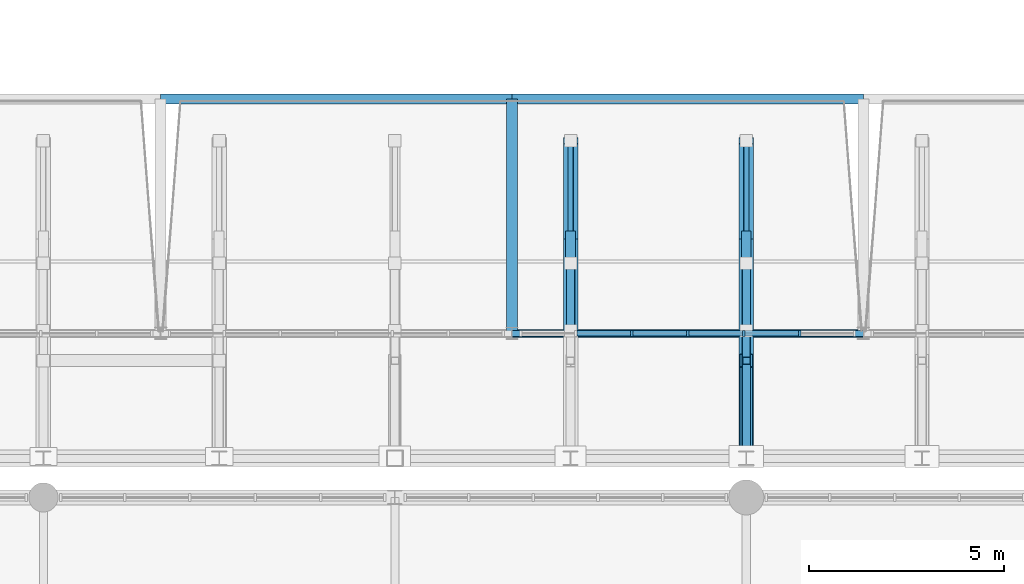
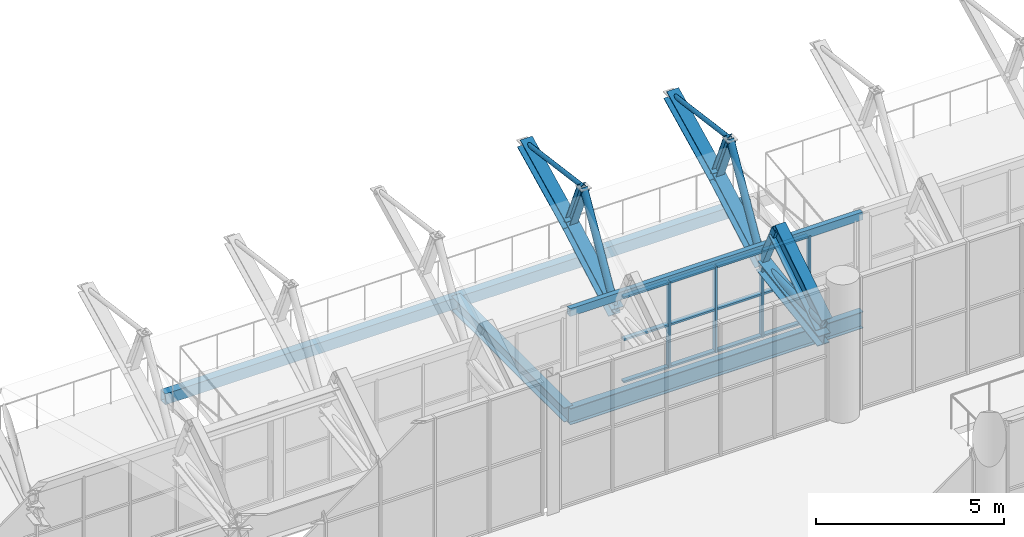
# One storey, part 64 of 134: 29 members, 6 beams, 1 element without a shape of its own.
"""IFC4 building model written with IfcOpenShell, lengths in metres."""

from ifc_helpers import new_model, si_unit, direction, frame, origin, origin_2d, place, context, subcontext, project, spatial, rectangle, hollow_rectangle, hollow_circle, i_section, extrude, material, layer, layer_set, material_profile, profile_set, type_object, element, aggregate, save


model = new_model("IFC4")

# Units and contexts
model_context = context("Model", 3, precision=1e-05, world=origin(), true_north=direction((0.0, 1.0)))
body_context = subcontext(model_context, "Body", "Model", "MODEL_VIEW")
ifc_project = project(units=[si_unit("LENGTHUNIT", "METRE"), si_unit("AREAUNIT", "SQUARE_METRE"), si_unit("VOLUMEUNIT", "CUBIC_METRE"), si_unit("PLANEANGLEUNIT", "RADIAN"), si_unit("MASSUNIT", "GRAM", prefix="KILO")], contexts=[model_context])

# Site, building, storey
site_placement = place(None, origin())
site = spatial("IfcSite", under=ifc_project, at=site_placement, CompositionType="ELEMENT")
building_placement = place(site_placement, origin())
building = spatial("IfcBuilding", under=site, at=building_placement, Name="Cazmaro Siding Exhibition Halls", CompositionType="ELEMENT")
storey_placement = place(building_placement, frame((0.0, 0.0, 12.0)))
storey = spatial("IfcBuildingStorey", under=building, at=storey_placement, Name="L02", CompositionType="ELEMENT", Elevation=12.0)

# Beams
ifc_material_1 = material(Name="Steel ASTM A992 Grade 50", Category="steel")
ifc_material_profile_1 = material_profile(ifc_material_1, i_section(OverallWidth=0.327880859375, OverallDepth=0.626953125, WebThickness=0.01708984375, FlangeThickness=0.028076171875, at=origin_2d()), Name="W24X146")
ifc_profile_set_1 = profile_set([ifc_material_profile_1], Name="Steel ASTM A992 Grade 50")
beam_type_1 = type_object("IfcBeamType", Name="AR-01", PredefinedType="USERDEFINED", material=ifc_profile_set_1)
beam_1_placement = place(storey_placement, frame((126.0, 64.0, 2.300048828125), z_axis=(0.0, 0.843339173298, 0.537381650954), x_axis=(-1.0, 0.0, 0.0)))
element("IfcBeam", 1, at=beam_1_placement, inside=storey, type_object=beam_type_1, Name="Space frame barrel vault arched rib AR-01 BM-0967", ObjectType="ARCHED RIB", PredefinedType="USERDEFINED", context=body_context, shape_type="SweptSolid", body=[
    extrude(i_section(OverallWidth=0.327880859375, OverallDepth=0.626953125, WebThickness=0.01708984375, FlangeThickness=0.028076171875, at=origin_2d()), origin(), (0.0, 0.0, 1.0), 2.96435546875),
])
ifc_material_2 = material(Name="Steel ASTM A992 Grade 50", Category="steel")
ifc_material_profile_2 = material_profile(ifc_material_2, i_section(OverallWidth=0.2099609375, OverallDepth=0.535888671875, WebThickness=0.010986328125, FlangeThickness=0.01708984375, at=origin_2d()), Name="W21X68")
ifc_profile_set_2 = profile_set([ifc_material_profile_2], Name="Steel ASTM A992 Grade 50")
beam_type_2 = type_object("IfcBeamType", Name="B-02", PredefinedType="BEAM", material=ifc_profile_set_2)
beam_2_placement = place(storey_placement, frame((120.0, 67.199951171875, -0.488037109375), z_axis=(1.0, 0.0, 0.0), x_axis=(0.0, 1.0, 0.0)))
element("IfcBeam", 2, at=beam_2_placement, inside=storey, type_object=beam_type_2, Name="Beam B-02 BM-0465", PredefinedType="BEAM", context=body_context, shape_type="SweptSolid", body=[
    extrude(i_section(OverallWidth=0.2099609375, OverallDepth=0.535888671875, WebThickness=0.010986328125, FlangeThickness=0.01708984375, at=origin_2d()), origin(), (0.0, 0.0, 1.0), 9.0),
])
ifc_material_3 = material(Name="Steel ASTM A992 Grade 50", Category="steel")
ifc_material_profile_3 = material_profile(ifc_material_3, i_section(OverallWidth=0.279052734375, OverallDepth=0.4619140625, WebThickness=0.010986328125, FlangeThickness=0.01708984375, at=origin_2d()), Name="W18X76")
ifc_profile_set_3 = profile_set([ifc_material_profile_3], Name="Steel ASTM A992 Grade 50")
beam_type_3 = type_object("IfcBeamType", Name="B-03", PredefinedType="BEAM", material=ifc_profile_set_3)
beam_3_placement = place(storey_placement, frame((120.0, 67.199951171875, -0.450927734375), z_axis=(0.0, 1.0, 0.0), x_axis=(-1.0, 0.0, 0.0)))
element("IfcBeam", 3, at=beam_3_placement, inside=storey, type_object=beam_type_3, Name="Beam B-03 BM-0480", PredefinedType="BEAM", context=body_context, shape_type="SweptSolid", body=[
    extrude(i_section(OverallWidth=0.279052734375, OverallDepth=0.4619140625, WebThickness=0.010986328125, FlangeThickness=0.01708984375, at=origin_2d()), origin(), (0.0, 0.0, 1.0), 6.0),
])
ifc_material_4 = material(Name="Steel ASTM A500 Grade C", Category="steel")
ifc_material_profile_4 = material_profile(ifc_material_4, hollow_rectangle(XDim=0.25390625, YDim=0.35595703125, WallThickness=0.014892578125, at=origin_2d()), Name="HSS14X10X5/8")
ifc_profile_set_4 = profile_set([ifc_material_profile_4], Name="Steel ASTM A500 Grade C")
beam_type_4 = type_object("IfcBeamType", Name="B-06", PredefinedType="BEAM", material=ifc_profile_set_4)
for number, where, z_axis, x_axis, name in (
    (4, (111.0, 73.199951171875, -0.39794921875), (1.0, 0.0, 0.0), (0.0, 1.0, 0.0), "Beam B-06 BM-0464"),
    (5, (120.0, 73.199951171875, -0.39794921875), (1.0, 0.0, 0.0), (0.0, 1.0, 0.0), "Beam B-06 BM-0466"),
):
    element("IfcBeam", number, at=place(storey_placement, frame(where, z_axis=z_axis, x_axis=x_axis)), inside=storey, type_object=beam_type_4, Name=name, PredefinedType="BEAM", context=body_context, shape_type="SweptSolid", body=[
        extrude(hollow_rectangle(XDim=0.25390625, YDim=0.35595703125, WallThickness=0.014892578125, at=origin_2d()), origin(), (0.0, 0.0, 1.0), 9.0),
    ])

# Curtain wall, members
ifc_material_5 = material(Name="Anodized Bronze Aluminum and Solar-Control Low-E Glazing", Category="aluminium")
ifc_layer = layer(ifc_material_5, 0.159912109375)
ifc_layer_set = layer_set([ifc_layer], Name="Anodized Bronze Aluminum and Solar-Control Low-E Glazing")
curtain_wall_type = type_object("IfcCurtainWallType", Name="CWS-04", PredefinedType="USERDEFINED", material=ifc_layer_set)
curtain_wall_placement = place(storey_placement, origin())
curtain_wall = element("IfcCurtainWall", 6, at=curtain_wall_placement, inside=storey, type_object=curtain_wall_type, Name="Clerestory Curtain Wall CWS-04 CW-032", ObjectType="CLERESTORY CURTAIN WALL", PredefinedType="USERDEFINED")
ifc_material_6 = material(Name="Anodized Bronze Extruded Aluminum", Category="aluminium")
ifc_material_profile_5 = material_profile(ifc_material_6, rectangle(XDim=0.159912109375, YDim=0.06005859375, at=origin_2d()), Name="CWM-04")
ifc_profile_set_5 = profile_set([ifc_material_profile_5], Name="Anodized Bronze Extruded Aluminum")
member_type_1 = type_object("IfcMemberType", Name="CWM-04", PredefinedType="MULLION", material=ifc_profile_set_5)
member_1_placement = place(storey_placement, frame((123.065673828125, 67.199951171875, 0.0), z_axis=(0.0, 0.0, 1.0), x_axis=(0.0, 1.0, 0.0)))
member_1 = element("IfcMember", 7, at=member_1_placement, type_object=member_type_1, Name="CWS-04 mullion 3", PredefinedType="MULLION", context=body_context, shape_type="SweptSolid", body=[
    extrude(rectangle(XDim=0.159912109375, YDim=0.06005859375, at=origin_2d()), origin(), (0.0, 0.0, 1.0), 2.800048828125),
])
member_2_placement = place(storey_placement, frame((124.5, 67.199951171875, 0.0), z_axis=(0.0, 0.0, 1.0), x_axis=(0.0, 1.0, 0.0)))
member_2 = element("IfcMember", 8, at=member_2_placement, type_object=member_type_1, Name="CWS-04 mullion 4", PredefinedType="MULLION", context=body_context, shape_type="SweptSolid", body=[
    extrude(rectangle(XDim=0.159912109375, YDim=0.06005859375, at=origin_2d()), origin(), (0.0, 0.0, 1.0), 2.800048828125),
])
member_3_placement = place(storey_placement, frame((125.934326171875, 67.199951171875, 0.0), z_axis=(0.0, 0.0, 1.0), x_axis=(0.0, 1.0, 0.0)))
member_3 = element("IfcMember", 9, at=member_3_placement, type_object=member_type_1, Name="CWS-04 mullion 5", PredefinedType="MULLION", context=body_context, shape_type="SweptSolid", body=[
    extrude(rectangle(XDim=0.159912109375, YDim=0.06005859375, at=origin_2d()), origin(), (0.0, 0.0, 1.0), 2.800048828125),
])
member_4_placement = place(storey_placement, frame((127.36865234375, 67.199951171875, 0.0), z_axis=(0.0, 0.0, 1.0), x_axis=(0.0, 1.0, 0.0)))
member_4 = element("IfcMember", 10, at=member_4_placement, type_object=member_type_1, Name="CWS-04 mullion 6", PredefinedType="MULLION", context=body_context, shape_type="SweptSolid", body=[
    extrude(rectangle(XDim=0.159912109375, YDim=0.06005859375, at=origin_2d()), origin(), (0.0, 0.0, 1.0), 2.800048828125),
])
ifc_material_7 = material(Name="Anodized Bronze Extruded Aluminum", Category="aluminium")
ifc_material_profile_6 = material_profile(ifc_material_7, rectangle(XDim=0.139892578125, YDim=0.06005859375, at=origin_2d()), Name="CWT-04")
ifc_profile_set_6 = profile_set([ifc_material_profile_6], Name="Anodized Bronze Extruded Aluminum")
member_type_2 = type_object("IfcMemberType", Name="CWT-04", PredefinedType="MULLION", material=ifc_profile_set_6)
member_5_placement = place(storey_placement, frame((121.661376953125, 67.199951171875, 0.030029296875), z_axis=(1.0, 0.0, 0.0), x_axis=(0.0, 1.0, 0.0)))
member_5 = element("IfcMember", 11, at=member_5_placement, type_object=member_type_2, Name="CWS-04 transom 2.1", ObjectType="TRANSOM", PredefinedType="USERDEFINED", context=body_context, shape_type="SweptSolid", body=[
    extrude(rectangle(XDim=0.139892578125, YDim=0.06005859375, at=origin_2d()), origin(), (0.0, 0.0, 1.0), 1.374267578125),
])
member_6_placement = place(storey_placement, frame((121.661376953125, 67.199951171875, 1.39990234375), z_axis=(1.0, 0.0, 0.0), x_axis=(0.0, 1.0, 0.0)))
member_6 = element("IfcMember", 12, at=member_6_placement, type_object=member_type_2, Name="CWS-04 transom 2.2", ObjectType="TRANSOM", PredefinedType="USERDEFINED", context=body_context, shape_type="SweptSolid", body=[
    extrude(rectangle(XDim=0.139892578125, YDim=0.06005859375, at=origin_2d()), origin(), (0.0, 0.0, 1.0), 1.374267578125),
])
member_7_placement = place(storey_placement, frame((121.661376953125, 67.199951171875, 2.77001953125), z_axis=(1.0, 0.0, 0.0), x_axis=(0.0, 1.0, 0.0)))
member_7 = element("IfcMember", 13, at=member_7_placement, type_object=member_type_2, Name="CWS-04 transom 2.3", ObjectType="TRANSOM", PredefinedType="USERDEFINED", context=body_context, shape_type="SweptSolid", body=[
    extrude(rectangle(XDim=0.139892578125, YDim=0.06005859375, at=origin_2d()), origin(), (0.0, 0.0, 1.0), 1.374267578125),
])
member_8_placement = place(storey_placement, frame((123.095703125, 67.199951171875, 0.030029296875), z_axis=(1.0, 0.0, 0.0), x_axis=(0.0, 1.0, 0.0)))
member_8 = element("IfcMember", 14, at=member_8_placement, type_object=member_type_2, Name="CWS-04 transom 3.1", ObjectType="TRANSOM", PredefinedType="USERDEFINED", context=body_context, shape_type="SweptSolid", body=[
    extrude(rectangle(XDim=0.139892578125, YDim=0.06005859375, at=origin_2d()), origin(), (0.0, 0.0, 1.0), 1.374267578125),
])
member_9_placement = place(storey_placement, frame((123.095703125, 67.199951171875, 1.39990234375), z_axis=(1.0, 0.0, 0.0), x_axis=(0.0, 1.0, 0.0)))
member_9 = element("IfcMember", 15, at=member_9_placement, type_object=member_type_2, Name="CWS-04 transom 3.2", ObjectType="TRANSOM", PredefinedType="USERDEFINED", context=body_context, shape_type="SweptSolid", body=[
    extrude(rectangle(XDim=0.139892578125, YDim=0.06005859375, at=origin_2d()), origin(), (0.0, 0.0, 1.0), 1.374267578125),
])
member_10_placement = place(storey_placement, frame((123.095703125, 67.199951171875, 2.77001953125), z_axis=(1.0, 0.0, 0.0), x_axis=(0.0, 1.0, 0.0)))
member_10 = element("IfcMember", 16, at=member_10_placement, type_object=member_type_2, Name="CWS-04 transom 3.3", ObjectType="TRANSOM", PredefinedType="USERDEFINED", context=body_context, shape_type="SweptSolid", body=[
    extrude(rectangle(XDim=0.139892578125, YDim=0.06005859375, at=origin_2d()), origin(), (0.0, 0.0, 1.0), 1.374267578125),
])
member_11_placement = place(storey_placement, frame((124.530029296875, 67.199951171875, 0.030029296875), z_axis=(1.0, 0.0, 0.0), x_axis=(0.0, 1.0, 0.0)))
member_11 = element("IfcMember", 17, at=member_11_placement, type_object=member_type_2, Name="CWS-04 transom 4.1", ObjectType="TRANSOM", PredefinedType="USERDEFINED", context=body_context, shape_type="SweptSolid", body=[
    extrude(rectangle(XDim=0.139892578125, YDim=0.06005859375, at=origin_2d()), origin(), (0.0, 0.0, 1.0), 1.374267578125),
])
member_12_placement = place(storey_placement, frame((124.530029296875, 67.199951171875, 1.39990234375), z_axis=(1.0, 0.0, 0.0), x_axis=(0.0, 1.0, 0.0)))
member_12 = element("IfcMember", 18, at=member_12_placement, type_object=member_type_2, Name="CWS-04 transom 4.2", ObjectType="TRANSOM", PredefinedType="USERDEFINED", context=body_context, shape_type="SweptSolid", body=[
    extrude(rectangle(XDim=0.139892578125, YDim=0.06005859375, at=origin_2d()), origin(), (0.0, 0.0, 1.0), 1.374267578125),
])
member_13_placement = place(storey_placement, frame((124.530029296875, 67.199951171875, 2.77001953125), z_axis=(1.0, 0.0, 0.0), x_axis=(0.0, 1.0, 0.0)))
member_13 = element("IfcMember", 19, at=member_13_placement, type_object=member_type_2, Name="CWS-04 transom 4.3", ObjectType="TRANSOM", PredefinedType="USERDEFINED", context=body_context, shape_type="SweptSolid", body=[
    extrude(rectangle(XDim=0.139892578125, YDim=0.06005859375, at=origin_2d()), origin(), (0.0, 0.0, 1.0), 1.374267578125),
])
member_14_placement = place(storey_placement, frame((125.96435546875, 67.199951171875, 0.030029296875), z_axis=(1.0, 0.0, 0.0), x_axis=(0.0, 1.0, 0.0)))
member_14 = element("IfcMember", 20, at=member_14_placement, type_object=member_type_2, Name="CWS-04 transom 5.1", ObjectType="TRANSOM", PredefinedType="USERDEFINED", context=body_context, shape_type="SweptSolid", body=[
    extrude(rectangle(XDim=0.139892578125, YDim=0.06005859375, at=origin_2d()), origin(), (0.0, 0.0, 1.0), 1.374267578125),
])
member_15_placement = place(storey_placement, frame((125.96435546875, 67.199951171875, 1.39990234375), z_axis=(1.0, 0.0, 0.0), x_axis=(0.0, 1.0, 0.0)))
member_15 = element("IfcMember", 21, at=member_15_placement, type_object=member_type_2, Name="CWS-04 transom 5.2", ObjectType="TRANSOM", PredefinedType="USERDEFINED", context=body_context, shape_type="SweptSolid", body=[
    extrude(rectangle(XDim=0.139892578125, YDim=0.06005859375, at=origin_2d()), origin(), (0.0, 0.0, 1.0), 1.374267578125),
])
member_16_placement = place(storey_placement, frame((125.96435546875, 67.199951171875, 2.77001953125), z_axis=(1.0, 0.0, 0.0), x_axis=(0.0, 1.0, 0.0)))
member_16 = element("IfcMember", 22, at=member_16_placement, type_object=member_type_2, Name="CWS-04 transom 5.3", ObjectType="TRANSOM", PredefinedType="USERDEFINED", context=body_context, shape_type="SweptSolid", body=[
    extrude(rectangle(XDim=0.139892578125, YDim=0.06005859375, at=origin_2d()), origin(), (0.0, 0.0, 1.0), 1.374267578125),
])
aggregate(curtain_wall, [member_1, member_2, member_3, member_4, member_5, member_6, member_7, member_8, member_9, member_10, member_11, member_12, member_13, member_14, member_15, member_16])

# Beam
ifc_material_8 = material(Name="Steel ASTM A500 Grade C", Category="steel")
ifc_material_profile_7 = material_profile(ifc_material_8, hollow_rectangle(XDim=0.152099609375, YDim=0.25390625, WallThickness=0.011962890625, at=origin_2d()), Name="HSS10X6X1/2")
ifc_profile_set_7 = profile_set([ifc_material_profile_7], Name="Steel ASTM A500 Grade C")
beam_type_5 = type_object("IfcBeamType", Name="SP-02", PredefinedType="SPANDREL", material=ifc_profile_set_7)
beam_4_placement = place(storey_placement, frame((120.0, 67.199951171875, 2.873046875), z_axis=(1.0, 0.0, 0.0), x_axis=(0.0, 1.0, 0.0)))
element("IfcBeam", 23, at=beam_4_placement, inside=storey, type_object=beam_type_5, Name="Beam SP-02 BM-0245", PredefinedType="SPANDREL", context=body_context, shape_type="SweptSolid", body=[
    extrude(hollow_rectangle(XDim=0.152099609375, YDim=0.25390625, WallThickness=0.011962890625, at=origin_2d()), origin(), (0.0, 0.0, 1.0), 9.0),
])

# Members
ifc_material_9 = material(Name="Steel ASTM A992 Grade 50", Category="steel")
ifc_material_profile_8 = material_profile(ifc_material_9, i_section(OverallWidth=0.37109375, OverallDepth=0.364013671875, WebThickness=0.012939453125, FlangeThickness=0.02197265625, at=origin_2d()), Name="W14X109")
ifc_profile_set_8 = profile_set([ifc_material_profile_8], Name="Steel ASTM A992 Grade 50")
member_type_3 = type_object("IfcMemberType", Name="TC-06", PredefinedType="CHORD", material=ifc_profile_set_8)
member_17_placement = place(storey_placement, frame((121.5, 67.27099609375, 2.305908203125), z_axis=(0.0, 0.871222319466, 0.490888653428), x_axis=(-1.0, 0.0, 0.0)))
element("IfcMember", 24, at=member_17_placement, inside=storey, type_object=member_type_3, Name="Space frame barrel vault bottom chord TC-06 MEM-1162", PredefinedType="CHORD", context=body_context, shape_type="SweptSolid", body=[
    extrude(i_section(OverallWidth=0.37109375, OverallDepth=0.364013671875, WebThickness=0.012939453125, FlangeThickness=0.02197265625, at=origin_2d()), origin(), (0.0, 0.0, 1.0), 2.7890625),
])
member_18_placement = place(storey_placement, frame((121.5, 69.700927734375, 3.675048828125), z_axis=(0.0, 0.896077457924, 0.443897724033), x_axis=(-1.0, 0.0, 0.0)))
element("IfcMember", 25, at=member_18_placement, inside=storey, type_object=member_type_3, Name="Space frame barrel vault bottom chord TC-06 MEM-1164", PredefinedType="CHORD", context=body_context, shape_type="SweptSolid", body=[
    extrude(i_section(OverallWidth=0.37109375, OverallDepth=0.364013671875, WebThickness=0.012939453125, FlangeThickness=0.02197265625, at=origin_2d()), origin(), (0.0, 0.0, 1.0), 2.7119140625),
])
member_19_placement = place(storey_placement, frame((126.0, 64.0, 1.800048828125), z_axis=(0.0, 0.988252010809, 0.152833121839), x_axis=(-1.0, 0.0, 0.0)))
element("IfcMember", 26, at=member_19_placement, inside=storey, type_object=member_type_3, Name="Space frame barrel vault bottom chord TC-06 MEM-1231", PredefinedType="CHORD", context=body_context, shape_type="SweptSolid", body=[
    extrude(i_section(OverallWidth=0.37109375, OverallDepth=0.364013671875, WebThickness=0.012939453125, FlangeThickness=0.02197265625, at=origin_2d()), origin(), (0.0, 0.0, 1.0), 3.309814453125),
])
member_20_placement = place(storey_placement, frame((126.0, 67.27099609375, 2.305908203125), z_axis=(0.0, 0.871222319466, 0.490888653428), x_axis=(-1.0, 0.0, 0.0)))
element("IfcMember", 27, at=member_20_placement, inside=storey, type_object=member_type_3, Name="Space frame barrel vault bottom chord TC-06 MEM-1233", PredefinedType="CHORD", context=body_context, shape_type="SweptSolid", body=[
    extrude(i_section(OverallWidth=0.37109375, OverallDepth=0.364013671875, WebThickness=0.012939453125, FlangeThickness=0.02197265625, at=origin_2d()), origin(), (0.0, 0.0, 1.0), 2.7890625),
])
member_21_placement = place(storey_placement, frame((126.0, 69.700927734375, 3.675048828125), z_axis=(0.0, 0.896077457924, 0.443897724033), x_axis=(-1.0, 0.0, 0.0)))
element("IfcMember", 28, at=member_21_placement, inside=storey, type_object=member_type_3, Name="Space frame barrel vault bottom chord TC-06 MEM-1235", PredefinedType="CHORD", context=body_context, shape_type="SweptSolid", body=[
    extrude(i_section(OverallWidth=0.37109375, OverallDepth=0.364013671875, WebThickness=0.012939453125, FlangeThickness=0.02197265625, at=origin_2d()), origin(), (0.0, 0.0, 1.0), 2.7119140625),
])
ifc_material_10 = material(Name="Steel ASTM A500 Grade C", Category="steel")
ifc_material_profile_9 = material_profile(ifc_material_10, hollow_rectangle(XDim=0.202880859375, YDim=0.202880859375, WallThickness=0.011962890625, at=origin_2d()), Name="HSS8X8X1/2")
ifc_profile_set_9 = profile_set([ifc_material_profile_9], Name="Steel ASTM A500 Grade C")
member_type_4 = type_object("IfcMemberType", Name="TP-01", PredefinedType="POST", material=ifc_profile_set_9)
member_22_placement = place(storey_placement, frame((126.0, 67.27099609375, 2.305908203125), z_axis=(0.0, -0.436945543824, 0.89948796086), x_axis=(1.0, 0.0, 0.0)))
element("IfcMember", 29, at=member_22_placement, inside=storey, type_object=member_type_4, Name="Space frame barrel vault post TP-01 MEM-1279", PredefinedType="POST", context=body_context, shape_type="SweptSolid", body=[
    extrude(hollow_rectangle(XDim=0.202880859375, YDim=0.202880859375, WallThickness=0.011962890625, at=origin_2d()), origin(), (0.0, 0.0, 1.0), 1.764404296875),
])
ifc_material_11 = material(Name="Steel ASTM A992 Grade 50", Category="steel")
ifc_material_profile_10 = material_profile(ifc_material_11, i_section(OverallWidth=0.25390625, OverallDepth=0.25390625, WebThickness=0.009033203125, FlangeThickness=0.013916015625, at=origin_2d()), Name="W10X49")
ifc_profile_set_10 = profile_set([ifc_material_profile_10], Name="Steel ASTM A992 Grade 50")
member_type_5 = type_object("IfcMemberType", Name="TP-04", PredefinedType="POST", material=ifc_profile_set_10)
for number, where, z_axis, x_axis, name in (
    (30, (121.5, 69.700927734375, 3.675048828125), (0.0, -0.395865434272, 0.918308530913), (1.0, 0.0, 0.0), "Space frame barrel vault post TP-04 MEM-1209"),
    (31, (126.0, 69.700927734375, 3.675048828125), (0.0, -0.395865434272, 0.918308530913), (1.0, 0.0, 0.0), "Space frame barrel vault post TP-04 MEM-1280"),
):
    element("IfcMember", number, at=place(storey_placement, frame(where, z_axis=z_axis, x_axis=x_axis)), inside=storey, type_object=member_type_5, Name=name, PredefinedType="POST", context=body_context, shape_type="SweptSolid", body=[
        extrude(i_section(OverallWidth=0.25390625, OverallDepth=0.25390625, WebThickness=0.009033203125, FlangeThickness=0.013916015625, at=origin_2d()), origin(), (0.0, 0.0, 1.0), 1.7705078125),
    ])
ifc_material_12 = material(Name="Steel ASTM A500 Grade C", Category="steel")
ifc_material_profile_11 = material_profile(ifc_material_12, hollow_circle(Radius=0.109619140625, WallThickness=0.012939453125, at=origin_2d()), Name="PIPE8XS")
ifc_profile_set_11 = profile_set([ifc_material_profile_11], Name="Steel ASTM A500 Grade C")
member_type_6 = type_object("IfcMemberType", Name="WB-01", PredefinedType="BRACE", material=ifc_profile_set_11)
member_23_placement = place(storey_placement, frame((121.5, 67.27099609375, 2.305908203125), z_axis=(0.0, 0.499950595228, 0.866053925764), x_axis=(-1.0, 0.0, 0.0)))
element("IfcMember", 32, at=member_23_placement, inside=storey, type_object=member_type_6, Name="Space frame barrel vault diagonal WB-01 MEM-1163", PredefinedType="BRACE", context=body_context, shape_type="SweptSolid", body=[
    extrude(hollow_circle(Radius=0.109619140625, WallThickness=0.012939453125, at=origin_2d()), origin(), (0.0, 0.0, 1.0), 3.458251953125),
])
member_24_placement = place(storey_placement, frame((126.0, 64.0, 2.300048828125), z_axis=(0.0, 0.999998395604, 0.001791309262), x_axis=(-1.0, 0.0, 0.0)))
element("IfcMember", 33, at=member_24_placement, inside=storey, type_object=member_type_6, Name="Space frame barrel vault diagonal WB-01 MEM-1232", PredefinedType="BRACE", context=body_context, shape_type="SweptSolid", body=[
    extrude(hollow_circle(Radius=0.109619140625, WallThickness=0.012939453125, at=origin_2d()), origin(), (0.0, 0.0, 1.0), 3.27099609375),
])
member_25_placement = place(storey_placement, frame((126.0, 67.27099609375, 2.305908203125), z_axis=(0.0, 0.499950595228, 0.866053925764), x_axis=(-1.0, 0.0, 0.0)))
element("IfcMember", 34, at=member_25_placement, inside=storey, type_object=member_type_6, Name="Space frame barrel vault diagonal WB-01 MEM-1234", PredefinedType="BRACE", context=body_context, shape_type="SweptSolid", body=[
    extrude(hollow_circle(Radius=0.109619140625, WallThickness=0.012939453125, at=origin_2d()), origin(), (0.0, 0.0, 1.0), 3.458251953125),
])
ifc_material_13 = material(Name="Steel ASTM A500 Grade C", Category="steel")
ifc_material_profile_12 = material_profile(ifc_material_13, hollow_circle(Radius=0.070556640625, WallThickness=0.01904296875, at=origin_2d()), Name="PIPE5XXS")
ifc_profile_set_12 = profile_set([ifc_material_profile_12], Name="Steel ASTM A500 Grade C")
member_type_7 = type_object("IfcMemberType", Name="WB-07", PredefinedType="BRACE", material=ifc_profile_set_12)
for number, where, z_axis, x_axis, name in (
    (35, (121.5, 69.0, 5.301025390625), (0.0, 0.991034510477, -0.133606134005), (-1.0, 0.0, 0.0), "Space frame barrel vault diagonal WB-07 MEM-1165"),
    (36, (126.0, 69.0, 5.301025390625), (0.0, 0.991034510477, -0.133606134005), (-1.0, 0.0, 0.0), "Space frame barrel vault diagonal WB-07 MEM-1236"),
):
    element("IfcMember", number, at=place(storey_placement, frame(where, z_axis=z_axis, x_axis=x_axis)), inside=storey, type_object=member_type_7, Name=name, PredefinedType="BRACE", context=body_context, shape_type="SweptSolid", body=[
        extrude(hollow_circle(Radius=0.070556640625, WallThickness=0.01904296875, at=origin_2d()), origin(), (0.0, 0.0, 1.0), 3.159423828125),
    ])

save(model, "model.ifc")
